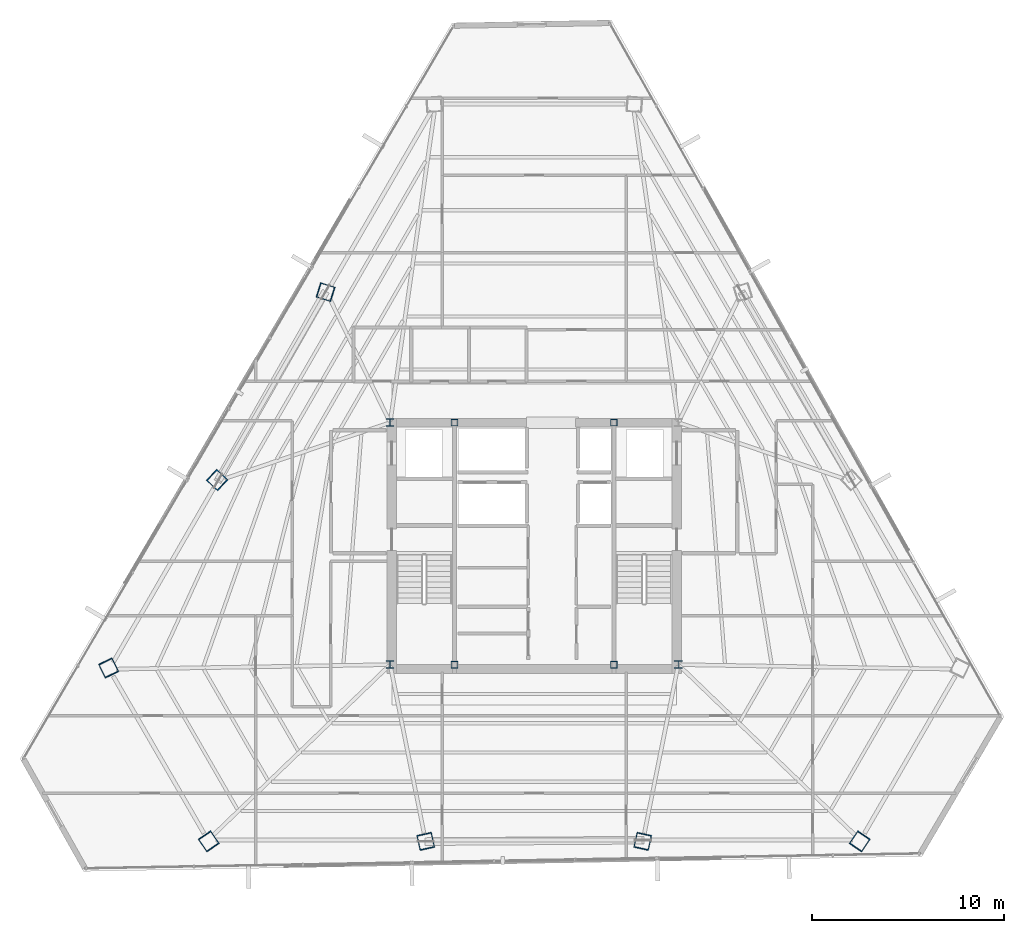
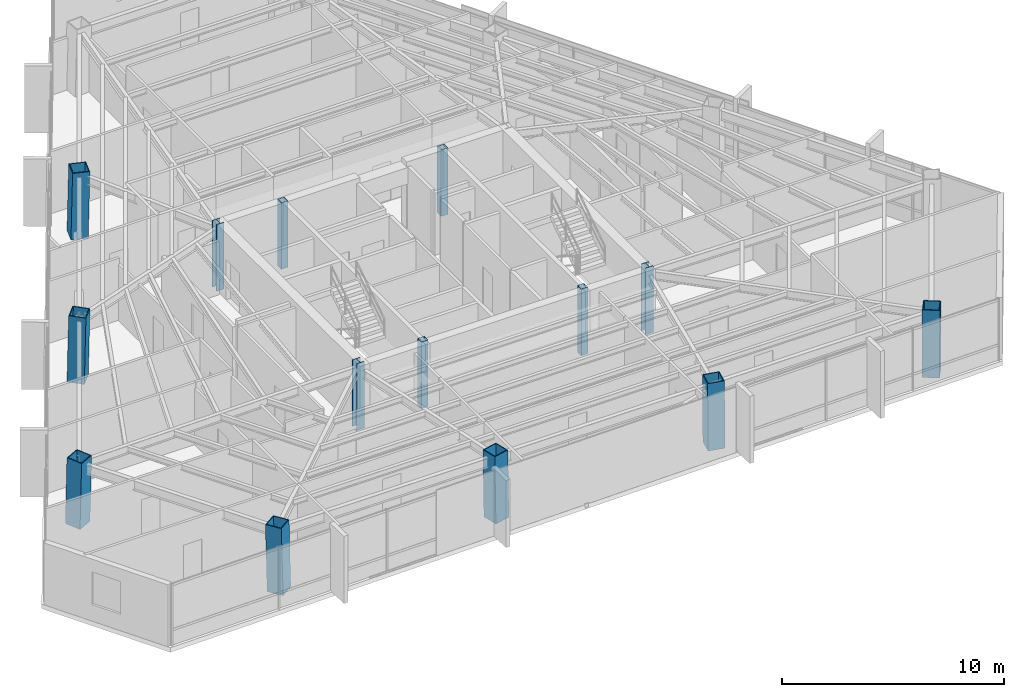
# One storey, part 1 of 44: 14 columns.
"""IFC4 building model written with IfcOpenShell, lengths in metres."""

from ifc_helpers import new_model, si_unit, direction, frame, origin, origin_2d, place, context, subcontext, project, spatial, hollow_rectangle, i_section, extrude, source, transform, mapped, material, material_profile, profile_set, type_object, type_shapes, element, save


model = new_model("IFC4")

# Units and contexts
model_context = context("Model", 3, precision=1e-05, world=origin(), true_north=direction((0.0, 1.0)))
body_context = subcontext(model_context, "Body", "Model", "MODEL_VIEW")
ifc_project = project(units=[si_unit("LENGTHUNIT", "METRE"), si_unit("AREAUNIT", "SQUARE_METRE"), si_unit("VOLUMEUNIT", "CUBIC_METRE"), si_unit("PLANEANGLEUNIT", "RADIAN"), si_unit("MASSUNIT", "GRAM", prefix="KILO")], contexts=[model_context])

# Site, building, storey
site_placement = place(None, origin())
site = spatial("IfcSite", under=ifc_project, at=site_placement, CompositionType="ELEMENT")
building_placement = place(site_placement, origin())
building = spatial("IfcBuilding", under=site, at=building_placement, Name="Caelisora Broadcast Tower", CompositionType="ELEMENT")
storey_placement = place(building_placement, frame((0.0, 0.0, 198.64990234375)))
storey = spatial("IfcBuildingStorey", under=building, at=storey_placement, Name="L52", CompositionType="ELEMENT", Elevation=198.64990234375)

# Columns
ifc_material_1 = material(Name="Steel Grade 350 (AS/NZS 3679.2)", Category="steel")
ifc_material_profile_1 = material_profile(ifc_material_1, i_section(OverallWidth=0.39990234375, OverallDepth=0.39990234375, WebThickness=0.02001953125, FlangeThickness=0.031982421875, at=origin_2d()), Name="Steel Grade 350 (AS/NZS 3679.2)")
ifc_profile_set_1 = profile_set([ifc_material_profile_1], Name="Steel Grade 350 (AS/NZS 3679.2)")
column_type_1 = type_object("IfcColumnType", Name="CC02", PredefinedType="COLUMN", material=ifc_profile_set_1)
shared_shape_1 = source(origin(), body_context, "Body", "SweptSolid", [
    extrude(i_section(OverallWidth=0.39990234375, OverallDepth=0.39990234375, WebThickness=0.02001953125, FlangeThickness=0.031982421875, at=origin_2d()), origin(), (0.0, 0.0, 1.0), 3.650146484375),
])
type_shapes(column_type_1, [shared_shape_1])
for number, where, z_axis, x_axis, name in (
    (1, (30.5, 17.39990234375, 0.0), (0.0, 0.0, 1.0), (1.0, 0.0, 0.0), "L52 column CC02"),
    (2, (45.5, 17.39990234375, 0.0), (0.0, 0.0, 1.0), (1.0, 0.0, 0.0), "L52 column CC02"),
    (3, (30.5, 30.0, 0.0), (0.0, 0.0, 1.0), (1.0, 0.0, 0.0), "L52 column CC02"),
):
    element("IfcColumn", number, at=place(storey_placement, frame(where, z_axis=z_axis, x_axis=x_axis)), inside=storey, type_object=column_type_1, Name=name, PredefinedType="COLUMN", context=body_context, shape_type="MappedRepresentation", body=[
        mapped(shared_shape_1, transform((0.0, 0.0, 0.0), scale=1.0)),
    ])
ifc_material_2 = material(Name="Steel Grade 350 L15 (AS/NZS 3678)", Category="steel")
ifc_material_profile_2 = material_profile(ifc_material_2, hollow_rectangle(XDim=0.800048828125, YDim=0.800048828125, WallThickness=0.044921875, at=origin_2d()), Name="Steel Grade 350 L15 (AS/NZS 3678)")
ifc_profile_set_2 = profile_set([ifc_material_profile_2], Name="Steel Grade 350 L15 (AS/NZS 3678)")
column_type_2 = type_object("IfcColumnType", Name="MC05", PredefinedType="COLUMN", material=ifc_profile_set_2)
shared_shape_2 = source(origin(), body_context, "Body", "SweptSolid", [
    extrude(hollow_rectangle(XDim=0.800048828125, YDim=0.800048828125, WallThickness=0.044921875, at=origin_2d()), origin(), (0.0, 0.0, 1.0), 3.65087890625),
])
for number, where, z_axis, x_axis, name in (
    (4, (27.129150390625, 36.794921875, 0.0), (0.01939269685, -0.00601842316, 0.999793829693), (0.296399214872, 0.955064136811, 0.0), "L52 column MC05"),
    (5, (21.48388671875, 27.01708984375, 0.0), (0.01484544602, -0.013842375343, 0.999793979466), (0.681966025159, 0.731383853069, 0.0), "L52 column MC05"),
    (6, (32.3544921875, 8.18798828125, 0.0), (-0.004413512568, 0.019793935152, 0.999794339371), (-0.976031638482, -0.217628676148, 0.0), "L52 column MC05"),
    (7, (43.6455078125, 8.18798828125, 0.0), (0.004413512568, 0.019793935152, 0.999794339371), (-0.976031638482, 0.217628676148, 0.0), "L52 column MC05"),
):
    element("IfcColumn", number, at=place(storey_placement, frame(where, z_axis=z_axis, x_axis=x_axis)), inside=storey, type_object=column_type_2, Name=name, PredefinedType="COLUMN", context=body_context, shape_type="MappedRepresentation", body=[
        mapped(shared_shape_2, transform((0.0, 0.0, 0.0), scale=1.0)),
    ])
ifc_material_3 = material(Name="Steel Grade 350 (AS/NZS 1163 C350L0)", Category="steel")
ifc_material_profile_3 = material_profile(ifc_material_3, hollow_rectangle(XDim=0.35009765625, YDim=0.35009765625, WallThickness=0.01611328125, at=origin_2d()), Name="Steel Grade 350 (AS/NZS 1163 C350L0)")
ifc_profile_set_3 = profile_set([ifc_material_profile_3], Name="Steel Grade 350 (AS/NZS 1163 C350L0)")
column_type_3 = type_object("IfcColumnType", Name="CC07", PredefinedType="COLUMN", material=ifc_profile_set_3)
shared_shape_3 = source(origin(), body_context, "Body", "SweptSolid", [
    extrude(hollow_rectangle(XDim=0.35009765625, YDim=0.35009765625, WallThickness=0.01611328125, at=origin_2d()), origin(), (0.0, 0.0, 1.0), 3.650146484375),
])
type_shapes(column_type_3, [shared_shape_3])
for number, where, z_axis, x_axis, name in (
    (8, (33.85009765625, 17.39990234375, 0.0), (0.0, 0.0, 1.0), (1.0, 0.0, 0.0), "L52 column CC07"),
    (9, (42.14990234375, 17.39990234375, 0.0), (0.0, 0.0, 1.0), (1.0, 0.0, 0.0), "L52 column CC07"),
    (10, (33.85009765625, 30.0, 0.0), (0.0, 0.0, 1.0), (1.0, 0.0, 0.0), "L52 column CC07"),
    (11, (42.14990234375, 30.0, 0.0), (0.0, 0.0, 1.0), (1.0, 0.0, 0.0), "L52 column CC07"),
):
    element("IfcColumn", number, at=place(storey_placement, frame(where, z_axis=z_axis, x_axis=x_axis)), inside=storey, type_object=column_type_3, Name=name, PredefinedType="COLUMN", context=body_context, shape_type="MappedRepresentation", body=[
        mapped(shared_shape_3, transform((0.0, 0.0, 0.0), scale=1.0)),
    ])
shared_shape_4 = source(origin(), body_context, "Body", "SweptSolid", [
    extrude(hollow_rectangle(XDim=0.800048828125, YDim=0.800048828125, WallThickness=0.044921875, at=origin_2d()), origin(), (0.0, 0.0, 1.0), 3.651123046875),
])
type_shapes(column_type_2, [shared_shape_2, shared_shape_4])
for number, where, z_axis, x_axis, name in (
    (12, (15.83837890625, 17.239013671875, 0.0), (0.010431083049, -0.021597691184, 0.999712324742), (0.900476348161, 0.434904985489, 0.0), "L52 column MC05"),
    (13, (21.06396484375, 8.18798828125, 0.0), (-0.013440068782, 0.019792340097, 0.999713772949), (-0.827290216258, -0.561774775229, 0.0), "L52 column MC05"),
    (14, (54.93603515625, 8.18798828125, 0.0), (0.013440068782, 0.019792340097, 0.999713772949), (-0.827290216258, 0.561774775229, 0.0), "L52 column MC05"),
):
    element("IfcColumn", number, at=place(storey_placement, frame(where, z_axis=z_axis, x_axis=x_axis)), inside=storey, type_object=column_type_2, Name=name, PredefinedType="COLUMN", context=body_context, shape_type="MappedRepresentation", body=[
        mapped(shared_shape_4, transform((0.0, 0.0, 0.0), scale=1.0)),
    ])

save(model, "model.ifc")
